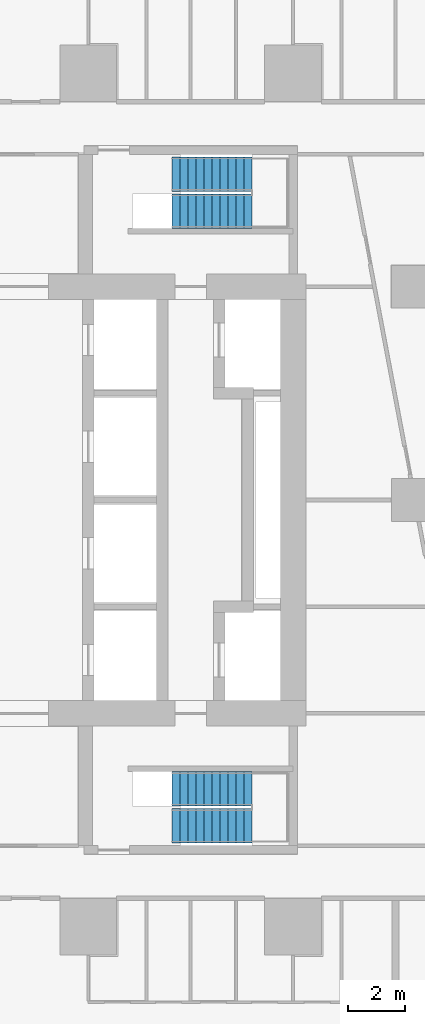
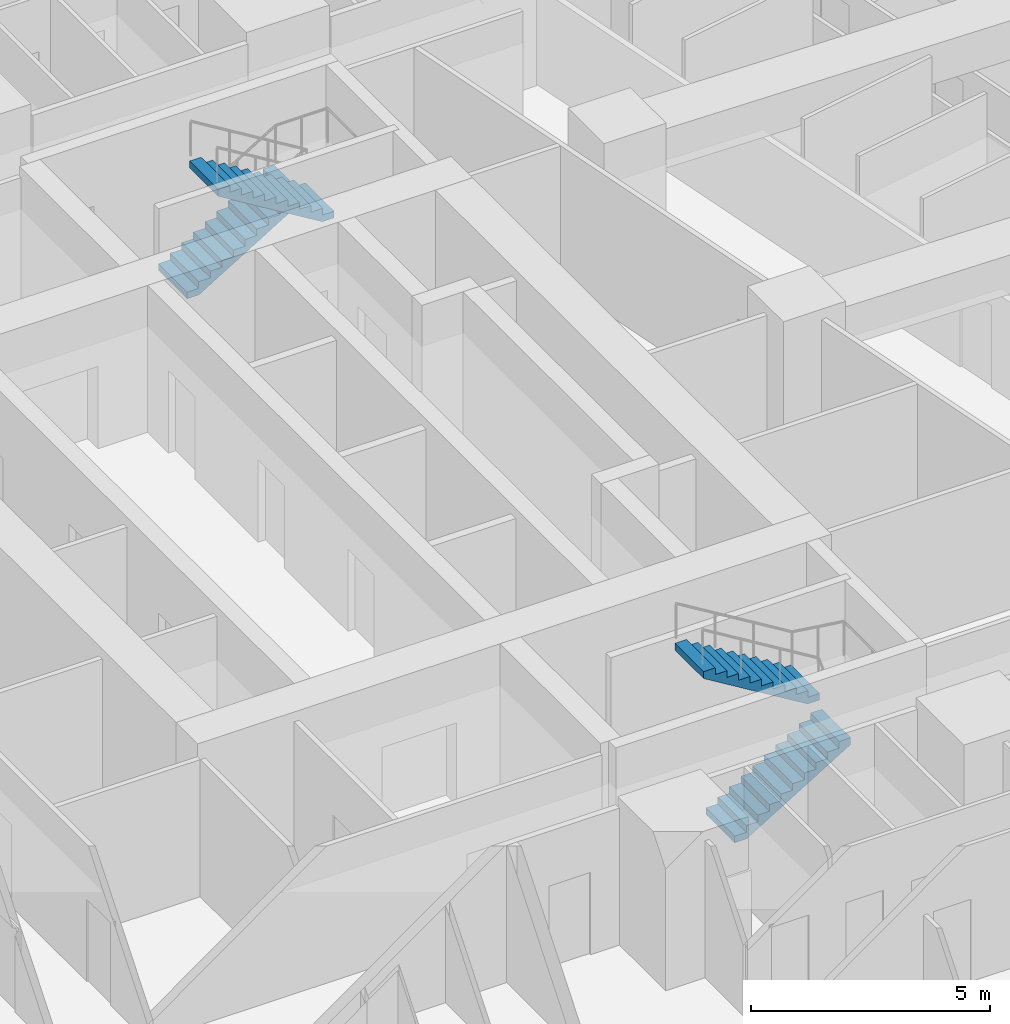
# One storey, part 12 of 14: 4 stair flights, 2 elements without a shape of their own.
"""IFC4 building model written with IfcOpenShell, lengths in metres."""

from ifc_helpers import new_model, si_unit, direction, frame, origin, place, context, subcontext, project, spatial, triangles, material, type_object, element, aggregate, save


model = new_model("IFC4")

# Units and contexts
model_context = context("Model", 3, precision=1e-05, world=origin(), true_north=direction((0.0, 1.0)))
body_context = subcontext(model_context, "Body", "Model", "MODEL_VIEW")
ifc_project = project(units=[si_unit("LENGTHUNIT", "METRE"), si_unit("AREAUNIT", "SQUARE_METRE"), si_unit("VOLUMEUNIT", "CUBIC_METRE"), si_unit("PLANEANGLEUNIT", "RADIAN"), si_unit("MASSUNIT", "GRAM", prefix="KILO")], contexts=[model_context])

# Site, building, storey
site_placement = place(None, origin())
site = spatial("IfcSite", under=ifc_project, at=site_placement, CompositionType="ELEMENT")
building_placement = place(site_placement, origin())
building = spatial("IfcBuilding", under=site, at=building_placement, Name="Sheger Commons Tower", CompositionType="ELEMENT")
storey_placement = place(building_placement, frame((0.0, 0.0, 135.800048828125)))
storey = spatial("IfcBuildingStorey", under=building, at=storey_placement, Name="L34", CompositionType="ELEMENT", Elevation=135.800048828125)

# Stair, stair flights
ifc_material_1 = material(Name="Concrete C35/45", Category="concrete")
stair_type = type_object("IfcStairType", Name="HALF-TURN STAIR 1200 RISE 3750", PredefinedType="HALF_TURN_STAIR", material=ifc_material_1)
stair_1_placement = place(storey_placement, origin())
stair_1 = element("IfcStair", 1, at=stair_1_placement, inside=storey, type_object=stair_type, Name="Stair S1 L34", PredefinedType="HALF_TURN_STAIR")
ifc_material_2 = material(Name="Concrete C35/45", Category="concrete")
stair_flight_type = type_object("IfcStairFlightType", Name="STAIR FLIGHT 1200 11 RISERS OF 170", PredefinedType="STRAIGHT", material=ifc_material_2)
stair_flight_1_placement = place(storey_placement, frame((24.550048828125, 11.050048828125, 0.0), z_axis=(0.0, 0.0, 1.0), x_axis=(1.0, 0.0, 0.0)))
stair_flight_1 = element("IfcStairFlight", 2, at=stair_flight_1_placement, type_object=stair_flight_type, Name="S1 flight 1", NumberOfRisers=11, NumberOfTreads=10, PredefinedType="STRAIGHT", RiserHeight=0.170454545, TreadLength=0.28, context=body_context, shape_type="Tessellation", body=[
    triangles([(0.0, 0.5999755859375, 0.0), (0.0, 0.5999755859375, 0.17041015625), (0.280029296875, 0.5999755859375, 0.17041015625), (0.280029296875, 0.5999755859375, 0.3408203125), (0.56005859375, 0.5999755859375, 0.3408203125), (0.56005859375, 0.5999755859375, 0.511474609375), (0.840087890625, 0.5999755859375, 0.511474609375), (0.840087890625, 0.5999755859375, 0.681884765625), (1.1201171875, 0.5999755859375, 0.681884765625), (1.1201171875, 0.5999755859375, 0.852294921875), (1.39990234375, 0.5999755859375, 0.852294921875), (1.39990234375, 0.5999755859375, 1.022705078125), (1.679931640625, 0.5999755859375, 1.022705078125), (1.679931640625, 0.5999755859375, 1.193115234375), (1.9599609375, 0.5999755859375, 1.193115234375), (1.9599609375, 0.5999755859375, 1.363525390625), (2.239990234375, 0.5999755859375, 1.363525390625), (2.239990234375, 0.5999755859375, 1.5341796875), (2.52001953125, 0.5999755859375, 1.5341796875), (2.52001953125, 0.5999755859375, 1.70458984375), (2.800048828125, 0.5999755859375, 1.70458984375), (2.800048828125, 0.5999755859375, 1.529052734375), (0.288330078125, 0.5999755859375, 0.0), (0.0, -0.5999755859375, 0.0), (0.0, -0.5999755859375, 0.17041015625), (0.280029296875, -0.5999755859375, 0.17041015625), (0.280029296875, -0.5999755859375, 0.3408203125), (0.56005859375, -0.5999755859375, 0.3408203125), (0.56005859375, -0.5999755859375, 0.511474609375), (0.840087890625, -0.5999755859375, 0.511474609375), (0.840087890625, -0.5999755859375, 0.681884765625), (1.1201171875, -0.5999755859375, 0.681884765625), (1.1201171875, -0.5999755859375, 0.852294921875), (1.39990234375, -0.5999755859375, 0.852294921875), (1.39990234375, -0.5999755859375, 1.022705078125), (1.679931640625, -0.5999755859375, 1.022705078125), (1.679931640625, -0.5999755859375, 1.193115234375), (1.9599609375, -0.5999755859375, 1.193115234375), (1.9599609375, -0.5999755859375, 1.363525390625), (2.239990234375, -0.5999755859375, 1.363525390625), (2.239990234375, -0.5999755859375, 1.5341796875), (2.52001953125, -0.5999755859375, 1.5341796875), (2.52001953125, -0.5999755859375, 1.70458984375), (2.800048828125, -0.5999755859375, 1.70458984375), (2.800048828125, -0.5999755859375, 1.529052734375), (0.288330078125, -0.5999755859375, 0.0), (0.0, 0.0, 0.085205078125), (0.1400146484375, 0.0, 0.17041015625), (0.280029296875, 0.0, 0.255615234375), (0.4200439453125, 0.0, 0.3408203125), (0.56005859375, 0.0, 0.4261474609375), (0.7000732421875, 0.0, 0.511474609375), (0.840087890625, 0.0, 0.5966796875), (0.9801025390625, 0.0, 0.681884765625), (1.1201171875, 0.0, 0.76708984375), (1.260009765625, 0.0, 0.852294921875), (1.39990234375, 0.0, 0.9375), (1.5399169921875, 0.0, 1.022705078125), (1.679931640625, 0.0, 1.10791015625), (1.8199462890625, 0.0, 1.193115234375), (1.9599609375, 0.0, 1.2783203125), (2.0999755859375, 0.0, 1.363525390625), (2.239990234375, 0.0, 1.4488525390625), (2.3800048828125, 0.0, 1.5341796875), (2.52001953125, 0.0, 1.619384765625), (2.6600341796875, 0.0, 1.70458984375), (2.800048828125, 0.0, 1.6168212890625), (1.544189453125, 0.0, 0.7645263671875), (0.1441650390625, 0.0, 0.0)], [[1, 22, 23], [24, 46, 45], [22, 20, 21], [45, 44, 43], [22, 19, 20], [45, 43, 42], [22, 18, 19], [45, 42, 41], [22, 17, 18], [45, 41, 40], [17, 15, 16], [40, 39, 38], [22, 15, 17], [45, 40, 38], [15, 13, 14], [38, 37, 36], [22, 13, 15], [45, 38, 36], [13, 11, 12], [36, 35, 34], [22, 11, 13], [45, 36, 34], [11, 9, 10], [34, 33, 32], [22, 9, 11], [45, 34, 32], [9, 7, 8], [32, 31, 30], [22, 7, 9], [45, 32, 30], [7, 5, 6], [30, 29, 28], [22, 5, 7], [45, 30, 28], [5, 3, 4], [28, 27, 26], [22, 3, 5], [45, 28, 26], [1, 3, 22], [24, 45, 26], [3, 1, 2], [26, 25, 24], [1, 47, 2], [2, 47, 25], [25, 47, 24], [24, 47, 1], [2, 48, 3], [3, 48, 26], [26, 48, 25], [25, 48, 2], [3, 49, 4], [4, 49, 27], [27, 49, 26], [26, 49, 3], [4, 50, 5], [5, 50, 28], [28, 50, 27], [27, 50, 4], [5, 51, 6], [6, 51, 29], [29, 51, 28], [28, 51, 5], [6, 52, 7], [7, 52, 30], [30, 52, 29], [29, 52, 6], [7, 53, 8], [8, 53, 31], [31, 53, 30], [30, 53, 7], [8, 54, 9], [9, 54, 32], [32, 54, 31], [31, 54, 8], [9, 55, 10], [10, 55, 33], [33, 55, 32], [32, 55, 9], [10, 56, 11], [11, 56, 34], [34, 56, 33], [33, 56, 10], [11, 57, 12], [12, 57, 35], [35, 57, 34], [34, 57, 11], [12, 58, 13], [13, 58, 36], [36, 58, 35], [35, 58, 12], [13, 59, 14], [14, 59, 37], [37, 59, 36], [36, 59, 13], [14, 60, 15], [15, 60, 38], [38, 60, 37], [37, 60, 14], [15, 61, 16], [16, 61, 39], [39, 61, 38], [38, 61, 15], [16, 62, 17], [17, 62, 40], [40, 62, 39], [39, 62, 16], [17, 63, 18], [18, 63, 41], [41, 63, 40], [40, 63, 17], [18, 64, 19], [19, 64, 42], [42, 64, 41], [41, 64, 18], [19, 65, 20], [20, 65, 43], [43, 65, 42], [42, 65, 19], [20, 66, 21], [21, 66, 44], [44, 66, 43], [43, 66, 20], [21, 67, 22], [22, 67, 45], [45, 67, 44], [44, 67, 21], [22, 68, 23], [23, 68, 46], [46, 68, 45], [45, 68, 22], [23, 69, 1], [1, 69, 24], [24, 69, 46], [46, 69, 23]], closed=True),
])
stair_flight_2_placement = place(storey_placement, frame((27.35009765625, 12.35009765625, 1.875), z_axis=(0.0, 0.0, 1.0), x_axis=(-1.0, 0.0, 0.0)))
stair_flight_2 = element("IfcStairFlight", 3, at=stair_flight_2_placement, type_object=stair_flight_type, Name="S1 flight 2", NumberOfRisers=11, NumberOfTreads=10, PredefinedType="STRAIGHT", RiserHeight=0.170454545, TreadLength=0.28, context=body_context, shape_type="Tessellation", body=[
    triangles([(0.0, 0.5999755859375, 0.0), (0.0, 0.5999755859375, 0.17041015625), (0.280029296875, 0.5999755859375, 0.17041015625), (0.280029296875, 0.5999755859375, 0.3408203125), (0.56005859375, 0.5999755859375, 0.3408203125), (0.56005859375, 0.5999755859375, 0.511474609375), (0.840087890625, 0.5999755859375, 0.511474609375), (0.840087890625, 0.5999755859375, 0.681884765625), (1.1201171875, 0.5999755859375, 0.681884765625), (1.1201171875, 0.5999755859375, 0.852294921875), (1.39990234375, 0.5999755859375, 0.852294921875), (1.39990234375, 0.5999755859375, 1.022705078125), (1.679931640625, 0.5999755859375, 1.022705078125), (1.679931640625, 0.5999755859375, 1.193115234375), (1.9599609375, 0.5999755859375, 1.193115234375), (1.9599609375, 0.5999755859375, 1.363525390625), (2.239990234375, 0.5999755859375, 1.363525390625), (2.239990234375, 0.5999755859375, 1.5341796875), (2.52001953125, 0.5999755859375, 1.5341796875), (2.52001953125, 0.5999755859375, 1.70458984375), (2.800048828125, 0.5999755859375, 1.70458984375), (2.800048828125, 0.5999755859375, 1.529052734375), (0.288330078125, 0.5999755859375, 0.0), (0.0, -0.5999755859375, 0.0), (0.0, -0.5999755859375, 0.17041015625), (0.280029296875, -0.5999755859375, 0.17041015625), (0.280029296875, -0.5999755859375, 0.3408203125), (0.56005859375, -0.5999755859375, 0.3408203125), (0.56005859375, -0.5999755859375, 0.511474609375), (0.840087890625, -0.5999755859375, 0.511474609375), (0.840087890625, -0.5999755859375, 0.681884765625), (1.1201171875, -0.5999755859375, 0.681884765625), (1.1201171875, -0.5999755859375, 0.852294921875), (1.39990234375, -0.5999755859375, 0.852294921875), (1.39990234375, -0.5999755859375, 1.022705078125), (1.679931640625, -0.5999755859375, 1.022705078125), (1.679931640625, -0.5999755859375, 1.193115234375), (1.9599609375, -0.5999755859375, 1.193115234375), (1.9599609375, -0.5999755859375, 1.363525390625), (2.239990234375, -0.5999755859375, 1.363525390625), (2.239990234375, -0.5999755859375, 1.5341796875), (2.52001953125, -0.5999755859375, 1.5341796875), (2.52001953125, -0.5999755859375, 1.70458984375), (2.800048828125, -0.5999755859375, 1.70458984375), (2.800048828125, -0.5999755859375, 1.529052734375), (0.288330078125, -0.5999755859375, 0.0), (0.0, 0.0, 0.085205078125), (0.1400146484375, 0.0, 0.17041015625), (0.280029296875, 0.0, 0.255615234375), (0.4200439453125, 0.0, 0.3408203125), (0.56005859375, 0.0, 0.4261474609375), (0.7000732421875, 0.0, 0.511474609375), (0.840087890625, 0.0, 0.5966796875), (0.9801025390625, 0.0, 0.681884765625), (1.1201171875, 0.0, 0.76708984375), (1.260009765625, 0.0, 0.852294921875), (1.39990234375, 0.0, 0.9375), (1.5399169921875, 0.0, 1.022705078125), (1.679931640625, 0.0, 1.10791015625), (1.8199462890625, 0.0, 1.193115234375), (1.9599609375, 0.0, 1.2783203125), (2.0999755859375, 0.0, 1.363525390625), (2.239990234375, 0.0, 1.4488525390625), (2.3800048828125, 0.0, 1.5341796875), (2.52001953125, 0.0, 1.619384765625), (2.6600341796875, 0.0, 1.70458984375), (2.800048828125, 0.0, 1.6168212890625), (1.544189453125, 0.0, 0.7645263671875), (0.1441650390625, 0.0, 0.0)], [[1, 22, 23], [24, 46, 45], [22, 20, 21], [45, 44, 43], [22, 19, 20], [45, 43, 42], [22, 18, 19], [45, 42, 41], [22, 17, 18], [45, 41, 40], [17, 15, 16], [40, 39, 38], [22, 15, 17], [45, 40, 38], [15, 13, 14], [38, 37, 36], [22, 13, 15], [45, 38, 36], [13, 11, 12], [36, 35, 34], [22, 11, 13], [45, 36, 34], [11, 9, 10], [34, 33, 32], [22, 9, 11], [45, 34, 32], [9, 7, 8], [32, 31, 30], [22, 7, 9], [45, 32, 30], [7, 5, 6], [30, 29, 28], [22, 5, 7], [45, 30, 28], [5, 3, 4], [28, 27, 26], [22, 3, 5], [45, 28, 26], [1, 3, 22], [24, 45, 26], [3, 1, 2], [26, 25, 24], [1, 47, 2], [2, 47, 25], [25, 47, 24], [24, 47, 1], [2, 48, 3], [3, 48, 26], [26, 48, 25], [25, 48, 2], [3, 49, 4], [4, 49, 27], [27, 49, 26], [26, 49, 3], [4, 50, 5], [5, 50, 28], [28, 50, 27], [27, 50, 4], [5, 51, 6], [6, 51, 29], [29, 51, 28], [28, 51, 5], [6, 52, 7], [7, 52, 30], [30, 52, 29], [29, 52, 6], [7, 53, 8], [8, 53, 31], [31, 53, 30], [30, 53, 7], [8, 54, 9], [9, 54, 32], [32, 54, 31], [31, 54, 8], [9, 55, 10], [10, 55, 33], [33, 55, 32], [32, 55, 9], [10, 56, 11], [11, 56, 34], [34, 56, 33], [33, 56, 10], [11, 57, 12], [12, 57, 35], [35, 57, 34], [34, 57, 11], [12, 58, 13], [13, 58, 36], [36, 58, 35], [35, 58, 12], [13, 59, 14], [14, 59, 37], [37, 59, 36], [36, 59, 13], [14, 60, 15], [15, 60, 38], [38, 60, 37], [37, 60, 14], [15, 61, 16], [16, 61, 39], [39, 61, 38], [38, 61, 15], [16, 62, 17], [17, 62, 40], [40, 62, 39], [39, 62, 16], [17, 63, 18], [18, 63, 41], [41, 63, 40], [40, 63, 17], [18, 64, 19], [19, 64, 42], [42, 64, 41], [41, 64, 18], [19, 65, 20], [20, 65, 43], [43, 65, 42], [42, 65, 19], [20, 66, 21], [21, 66, 44], [44, 66, 43], [43, 66, 20], [21, 67, 22], [22, 67, 45], [45, 67, 44], [44, 67, 21], [22, 68, 23], [23, 68, 46], [46, 68, 45], [45, 68, 22], [23, 69, 1], [1, 69, 24], [24, 69, 46], [46, 69, 23]], closed=True),
])
aggregate(stair_1, [stair_flight_1, stair_flight_2])

stair_2_placement = place(storey_placement, origin())
stair_2 = element("IfcStair", 4, at=stair_2_placement, inside=storey, type_object=stair_type, Name="Stair S2 L34", PredefinedType="HALF_TURN_STAIR")
stair_flight_3_placement = place(storey_placement, frame((24.550048828125, 33.949951171875, 0.0), z_axis=(0.0, 0.0, 1.0), x_axis=(1.0, 0.0, 0.0)))
stair_flight_3 = element("IfcStairFlight", 5, at=stair_flight_3_placement, type_object=stair_flight_type, Name="S2 flight 1", NumberOfRisers=11, NumberOfTreads=10, PredefinedType="STRAIGHT", RiserHeight=0.170454545, TreadLength=0.28, context=body_context, shape_type="Tessellation", body=[
    triangles([(0.0, 0.5999755859375, 0.0), (0.0, 0.5999755859375, 0.17041015625), (0.280029296875, 0.5999755859375, 0.17041015625), (0.280029296875, 0.5999755859375, 0.3408203125), (0.56005859375, 0.5999755859375, 0.3408203125), (0.56005859375, 0.5999755859375, 0.511474609375), (0.840087890625, 0.5999755859375, 0.511474609375), (0.840087890625, 0.5999755859375, 0.681884765625), (1.1201171875, 0.5999755859375, 0.681884765625), (1.1201171875, 0.5999755859375, 0.852294921875), (1.39990234375, 0.5999755859375, 0.852294921875), (1.39990234375, 0.5999755859375, 1.022705078125), (1.679931640625, 0.5999755859375, 1.022705078125), (1.679931640625, 0.5999755859375, 1.193115234375), (1.9599609375, 0.5999755859375, 1.193115234375), (1.9599609375, 0.5999755859375, 1.363525390625), (2.239990234375, 0.5999755859375, 1.363525390625), (2.239990234375, 0.5999755859375, 1.5341796875), (2.52001953125, 0.5999755859375, 1.5341796875), (2.52001953125, 0.5999755859375, 1.70458984375), (2.800048828125, 0.5999755859375, 1.70458984375), (2.800048828125, 0.5999755859375, 1.529052734375), (0.288330078125, 0.5999755859375, 0.0), (0.0, -0.5999755859375, 0.0), (0.0, -0.5999755859375, 0.17041015625), (0.280029296875, -0.5999755859375, 0.17041015625), (0.280029296875, -0.5999755859375, 0.3408203125), (0.56005859375, -0.5999755859375, 0.3408203125), (0.56005859375, -0.5999755859375, 0.511474609375), (0.840087890625, -0.5999755859375, 0.511474609375), (0.840087890625, -0.5999755859375, 0.681884765625), (1.1201171875, -0.5999755859375, 0.681884765625), (1.1201171875, -0.5999755859375, 0.852294921875), (1.39990234375, -0.5999755859375, 0.852294921875), (1.39990234375, -0.5999755859375, 1.022705078125), (1.679931640625, -0.5999755859375, 1.022705078125), (1.679931640625, -0.5999755859375, 1.193115234375), (1.9599609375, -0.5999755859375, 1.193115234375), (1.9599609375, -0.5999755859375, 1.363525390625), (2.239990234375, -0.5999755859375, 1.363525390625), (2.239990234375, -0.5999755859375, 1.5341796875), (2.52001953125, -0.5999755859375, 1.5341796875), (2.52001953125, -0.5999755859375, 1.70458984375), (2.800048828125, -0.5999755859375, 1.70458984375), (2.800048828125, -0.5999755859375, 1.529052734375), (0.288330078125, -0.5999755859375, 0.0), (0.0, 0.0, 0.085205078125), (0.1400146484375, 0.0, 0.17041015625), (0.280029296875, 0.0, 0.255615234375), (0.4200439453125, 0.0, 0.3408203125), (0.56005859375, 0.0, 0.4261474609375), (0.7000732421875, 0.0, 0.511474609375), (0.840087890625, 0.0, 0.5966796875), (0.9801025390625, 0.0, 0.681884765625), (1.1201171875, 0.0, 0.76708984375), (1.260009765625, 0.0, 0.852294921875), (1.39990234375, 0.0, 0.9375), (1.5399169921875, 0.0, 1.022705078125), (1.679931640625, 0.0, 1.10791015625), (1.8199462890625, 0.0, 1.193115234375), (1.9599609375, 0.0, 1.2783203125), (2.0999755859375, 0.0, 1.363525390625), (2.239990234375, 0.0, 1.4488525390625), (2.3800048828125, 0.0, 1.5341796875), (2.52001953125, 0.0, 1.619384765625), (2.6600341796875, 0.0, 1.70458984375), (2.800048828125, 0.0, 1.6168212890625), (1.544189453125, 0.0, 0.7645263671875), (0.1441650390625, 0.0, 0.0)], [[1, 22, 23], [24, 46, 45], [22, 20, 21], [45, 44, 43], [22, 19, 20], [45, 43, 42], [22, 18, 19], [45, 42, 41], [22, 17, 18], [45, 41, 40], [17, 15, 16], [40, 39, 38], [22, 15, 17], [45, 40, 38], [15, 13, 14], [38, 37, 36], [22, 13, 15], [45, 38, 36], [13, 11, 12], [36, 35, 34], [22, 11, 13], [45, 36, 34], [11, 9, 10], [34, 33, 32], [22, 9, 11], [45, 34, 32], [9, 7, 8], [32, 31, 30], [22, 7, 9], [45, 32, 30], [7, 5, 6], [30, 29, 28], [22, 5, 7], [45, 30, 28], [5, 3, 4], [28, 27, 26], [22, 3, 5], [45, 28, 26], [1, 3, 22], [24, 45, 26], [3, 1, 2], [26, 25, 24], [1, 47, 2], [2, 47, 25], [25, 47, 24], [24, 47, 1], [2, 48, 3], [3, 48, 26], [26, 48, 25], [25, 48, 2], [3, 49, 4], [4, 49, 27], [27, 49, 26], [26, 49, 3], [4, 50, 5], [5, 50, 28], [28, 50, 27], [27, 50, 4], [5, 51, 6], [6, 51, 29], [29, 51, 28], [28, 51, 5], [6, 52, 7], [7, 52, 30], [30, 52, 29], [29, 52, 6], [7, 53, 8], [8, 53, 31], [31, 53, 30], [30, 53, 7], [8, 54, 9], [9, 54, 32], [32, 54, 31], [31, 54, 8], [9, 55, 10], [10, 55, 33], [33, 55, 32], [32, 55, 9], [10, 56, 11], [11, 56, 34], [34, 56, 33], [33, 56, 10], [11, 57, 12], [12, 57, 35], [35, 57, 34], [34, 57, 11], [12, 58, 13], [13, 58, 36], [36, 58, 35], [35, 58, 12], [13, 59, 14], [14, 59, 37], [37, 59, 36], [36, 59, 13], [14, 60, 15], [15, 60, 38], [38, 60, 37], [37, 60, 14], [15, 61, 16], [16, 61, 39], [39, 61, 38], [38, 61, 15], [16, 62, 17], [17, 62, 40], [40, 62, 39], [39, 62, 16], [17, 63, 18], [18, 63, 41], [41, 63, 40], [40, 63, 17], [18, 64, 19], [19, 64, 42], [42, 64, 41], [41, 64, 18], [19, 65, 20], [20, 65, 43], [43, 65, 42], [42, 65, 19], [20, 66, 21], [21, 66, 44], [44, 66, 43], [43, 66, 20], [21, 67, 22], [22, 67, 45], [45, 67, 44], [44, 67, 21], [22, 68, 23], [23, 68, 46], [46, 68, 45], [45, 68, 22], [23, 69, 1], [1, 69, 24], [24, 69, 46], [46, 69, 23]], closed=True),
])
stair_flight_4_placement = place(storey_placement, frame((27.35009765625, 32.64990234375, 1.875), z_axis=(0.0, 0.0, 1.0), x_axis=(-1.0, 0.0, 0.0)))
stair_flight_4 = element("IfcStairFlight", 6, at=stair_flight_4_placement, type_object=stair_flight_type, Name="S2 flight 2", NumberOfRisers=11, NumberOfTreads=10, PredefinedType="STRAIGHT", RiserHeight=0.170454545, TreadLength=0.28, context=body_context, shape_type="Tessellation", body=[
    triangles([(0.0, 0.5999755859375, 0.0), (0.0, 0.5999755859375, 0.17041015625), (0.280029296875, 0.5999755859375, 0.17041015625), (0.280029296875, 0.5999755859375, 0.3408203125), (0.56005859375, 0.5999755859375, 0.3408203125), (0.56005859375, 0.5999755859375, 0.511474609375), (0.840087890625, 0.5999755859375, 0.511474609375), (0.840087890625, 0.5999755859375, 0.681884765625), (1.1201171875, 0.5999755859375, 0.681884765625), (1.1201171875, 0.5999755859375, 0.852294921875), (1.39990234375, 0.5999755859375, 0.852294921875), (1.39990234375, 0.5999755859375, 1.022705078125), (1.679931640625, 0.5999755859375, 1.022705078125), (1.679931640625, 0.5999755859375, 1.193115234375), (1.9599609375, 0.5999755859375, 1.193115234375), (1.9599609375, 0.5999755859375, 1.363525390625), (2.239990234375, 0.5999755859375, 1.363525390625), (2.239990234375, 0.5999755859375, 1.5341796875), (2.52001953125, 0.5999755859375, 1.5341796875), (2.52001953125, 0.5999755859375, 1.70458984375), (2.800048828125, 0.5999755859375, 1.70458984375), (2.800048828125, 0.5999755859375, 1.529052734375), (0.288330078125, 0.5999755859375, 0.0), (0.0, -0.5999755859375, 0.0), (0.0, -0.5999755859375, 0.17041015625), (0.280029296875, -0.5999755859375, 0.17041015625), (0.280029296875, -0.5999755859375, 0.3408203125), (0.56005859375, -0.5999755859375, 0.3408203125), (0.56005859375, -0.5999755859375, 0.511474609375), (0.840087890625, -0.5999755859375, 0.511474609375), (0.840087890625, -0.5999755859375, 0.681884765625), (1.1201171875, -0.5999755859375, 0.681884765625), (1.1201171875, -0.5999755859375, 0.852294921875), (1.39990234375, -0.5999755859375, 0.852294921875), (1.39990234375, -0.5999755859375, 1.022705078125), (1.679931640625, -0.5999755859375, 1.022705078125), (1.679931640625, -0.5999755859375, 1.193115234375), (1.9599609375, -0.5999755859375, 1.193115234375), (1.9599609375, -0.5999755859375, 1.363525390625), (2.239990234375, -0.5999755859375, 1.363525390625), (2.239990234375, -0.5999755859375, 1.5341796875), (2.52001953125, -0.5999755859375, 1.5341796875), (2.52001953125, -0.5999755859375, 1.70458984375), (2.800048828125, -0.5999755859375, 1.70458984375), (2.800048828125, -0.5999755859375, 1.529052734375), (0.288330078125, -0.5999755859375, 0.0), (0.0, 0.0, 0.085205078125), (0.1400146484375, 0.0, 0.17041015625), (0.280029296875, 0.0, 0.255615234375), (0.4200439453125, 0.0, 0.3408203125), (0.56005859375, 0.0, 0.4261474609375), (0.7000732421875, 0.0, 0.511474609375), (0.840087890625, 0.0, 0.5966796875), (0.9801025390625, 0.0, 0.681884765625), (1.1201171875, 0.0, 0.76708984375), (1.260009765625, 0.0, 0.852294921875), (1.39990234375, 0.0, 0.9375), (1.5399169921875, 0.0, 1.022705078125), (1.679931640625, 0.0, 1.10791015625), (1.8199462890625, 0.0, 1.193115234375), (1.9599609375, 0.0, 1.2783203125), (2.0999755859375, 0.0, 1.363525390625), (2.239990234375, 0.0, 1.4488525390625), (2.3800048828125, 0.0, 1.5341796875), (2.52001953125, 0.0, 1.619384765625), (2.6600341796875, 0.0, 1.70458984375), (2.800048828125, 0.0, 1.6168212890625), (1.544189453125, 0.0, 0.7645263671875), (0.1441650390625, 0.0, 0.0)], [[1, 22, 23], [24, 46, 45], [22, 20, 21], [45, 44, 43], [22, 19, 20], [45, 43, 42], [22, 18, 19], [45, 42, 41], [22, 17, 18], [45, 41, 40], [17, 15, 16], [40, 39, 38], [22, 15, 17], [45, 40, 38], [15, 13, 14], [38, 37, 36], [22, 13, 15], [45, 38, 36], [13, 11, 12], [36, 35, 34], [22, 11, 13], [45, 36, 34], [11, 9, 10], [34, 33, 32], [22, 9, 11], [45, 34, 32], [9, 7, 8], [32, 31, 30], [22, 7, 9], [45, 32, 30], [7, 5, 6], [30, 29, 28], [22, 5, 7], [45, 30, 28], [5, 3, 4], [28, 27, 26], [22, 3, 5], [45, 28, 26], [1, 3, 22], [24, 45, 26], [3, 1, 2], [26, 25, 24], [1, 47, 2], [2, 47, 25], [25, 47, 24], [24, 47, 1], [2, 48, 3], [3, 48, 26], [26, 48, 25], [25, 48, 2], [3, 49, 4], [4, 49, 27], [27, 49, 26], [26, 49, 3], [4, 50, 5], [5, 50, 28], [28, 50, 27], [27, 50, 4], [5, 51, 6], [6, 51, 29], [29, 51, 28], [28, 51, 5], [6, 52, 7], [7, 52, 30], [30, 52, 29], [29, 52, 6], [7, 53, 8], [8, 53, 31], [31, 53, 30], [30, 53, 7], [8, 54, 9], [9, 54, 32], [32, 54, 31], [31, 54, 8], [9, 55, 10], [10, 55, 33], [33, 55, 32], [32, 55, 9], [10, 56, 11], [11, 56, 34], [34, 56, 33], [33, 56, 10], [11, 57, 12], [12, 57, 35], [35, 57, 34], [34, 57, 11], [12, 58, 13], [13, 58, 36], [36, 58, 35], [35, 58, 12], [13, 59, 14], [14, 59, 37], [37, 59, 36], [36, 59, 13], [14, 60, 15], [15, 60, 38], [38, 60, 37], [37, 60, 14], [15, 61, 16], [16, 61, 39], [39, 61, 38], [38, 61, 15], [16, 62, 17], [17, 62, 40], [40, 62, 39], [39, 62, 16], [17, 63, 18], [18, 63, 41], [41, 63, 40], [40, 63, 17], [18, 64, 19], [19, 64, 42], [42, 64, 41], [41, 64, 18], [19, 65, 20], [20, 65, 43], [43, 65, 42], [42, 65, 19], [20, 66, 21], [21, 66, 44], [44, 66, 43], [43, 66, 20], [21, 67, 22], [22, 67, 45], [45, 67, 44], [44, 67, 21], [22, 68, 23], [23, 68, 46], [46, 68, 45], [45, 68, 22], [23, 69, 1], [1, 69, 24], [24, 69, 46], [46, 69, 23]], closed=True),
])
aggregate(stair_2, [stair_flight_3, stair_flight_4])

save(model, "model.ifc")
